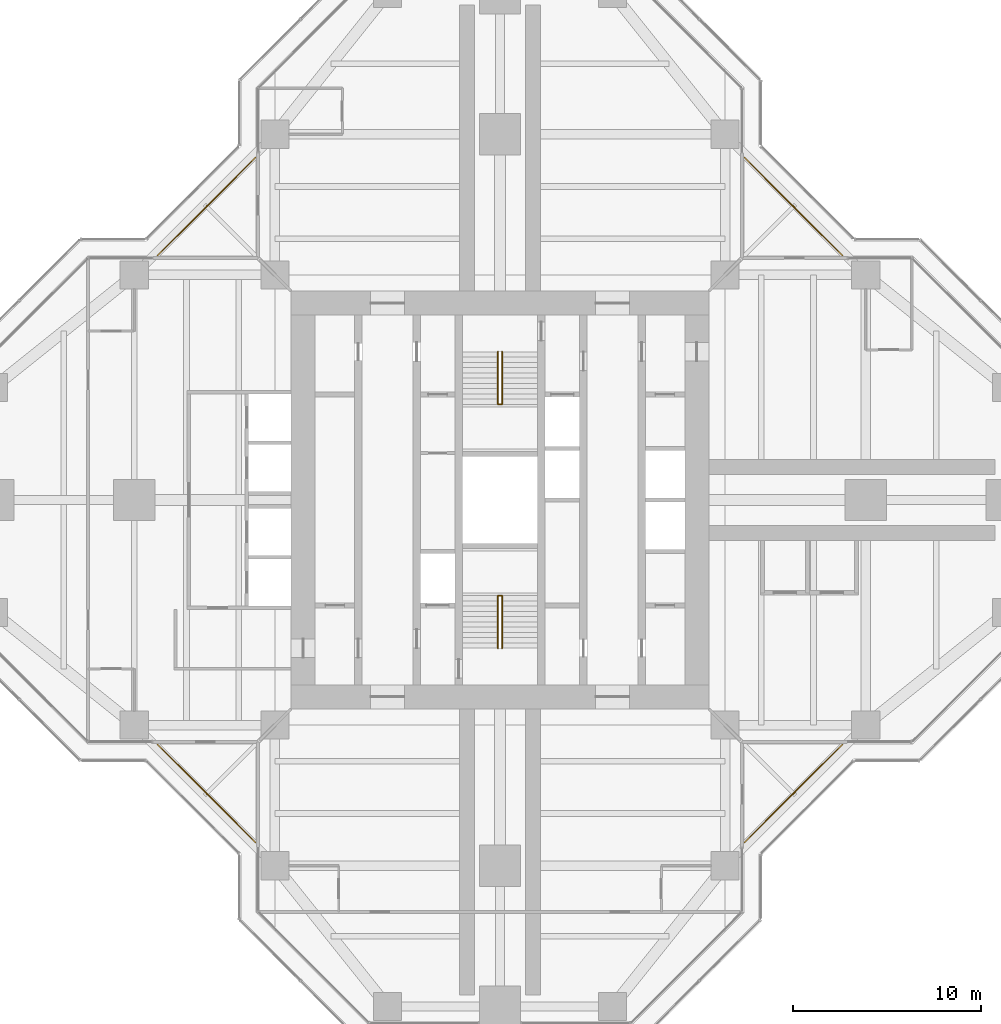
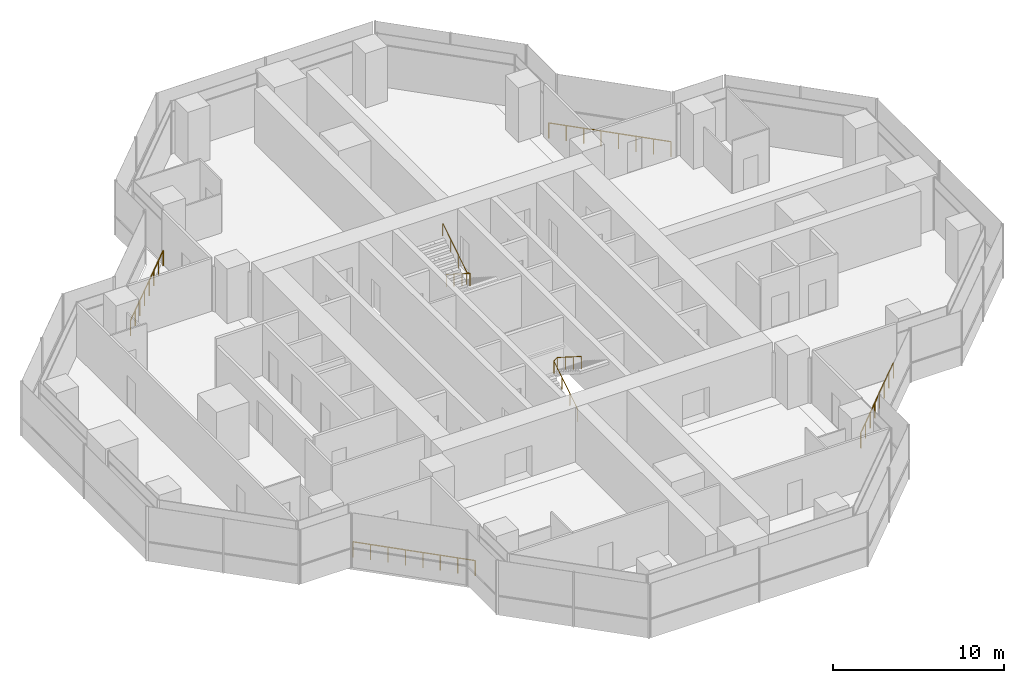
# One storey, part 17 of 17: 6 railings.
"""IFC4 building model written with IfcOpenShell, lengths in metres."""

from ifc_helpers import new_model, si_unit, direction, frame, origin, origin_2d, place, context, subcontext, project, spatial, circle, extrude, material, type_object, element, save


model = new_model("IFC4")

# Units and contexts
model_context = context("Model", 3, precision=1e-05, world=origin(), true_north=direction((0.0, 1.0)))
body_context = subcontext(model_context, "Body", "Model", "MODEL_VIEW")
ifc_project = project(units=[si_unit("LENGTHUNIT", "METRE"), si_unit("AREAUNIT", "SQUARE_METRE"), si_unit("VOLUMEUNIT", "CUBIC_METRE"), si_unit("PLANEANGLEUNIT", "RADIAN"), si_unit("MASSUNIT", "GRAM", prefix="KILO")], contexts=[model_context])

# Site, building, storey
site_placement = place(None, origin())
site = spatial("IfcSite", under=ifc_project, at=site_placement, CompositionType="ELEMENT")
building_placement = place(site_placement, origin())
building = spatial("IfcBuilding", under=site, at=building_placement, Name="Mizan Broadcast Tower", CompositionType="ELEMENT")
storey_placement = place(building_placement, frame((0.0, 0.0, 240.0)))
storey = spatial("IfcBuildingStorey", under=building, at=storey_placement, Name="L56", CompositionType="ELEMENT", Elevation=240.0)

# Railings
ifc_material_1 = material(Name="Stainless steel and glass guard", Category="steel")
railing_type_1 = type_object("IfcRailingType", Name="GUARD 1100", PredefinedType="GUARDRAIL", material=ifc_material_1)
railing_1_placement = place(storey_placement, frame((18.2578125, 13.030029296875, 0.0)))
element("IfcRailing", 1, at=railing_1_placement, inside=storey, type_object=railing_type_1, Name="Winter garden guard L56 E", PredefinedType="GUARDRAIL", context=body_context, shape_type="SweptSolid", body=[
    extrude(circle(Radius=0.02392578125, at=origin_2d()), frame((0.0, 0.0, 1.076171875), z_axis=(-0.707106781187, 0.707106781187, 0.0), x_axis=(-0.707106781187, -0.707106781187, 0.0)), (0.0, 0.0, 1.0), 7.393310546875),
    extrude(circle(Radius=0.02099609375, at=origin_2d()), origin(), (0.0, 0.0, 1.0), 1.052001953125),
    extrude(circle(Radius=0.02099609375, at=origin_2d()), frame((-0.746826171875, 0.746826171875, 0.0)), (0.0, 0.0, 1.0), 1.052001953125),
    extrude(circle(Radius=0.02099609375, at=origin_2d()), frame((-1.49365234375, 1.49365234375, 0.0)), (0.0, 0.0, 1.0), 1.052001953125),
    extrude(circle(Radius=0.02099609375, at=origin_2d()), frame((-2.240478515625, 2.240478515625, 0.0)), (0.0, 0.0, 1.0), 1.052001953125),
    extrude(circle(Radius=0.02099609375, at=origin_2d()), frame((-2.9873046875, 2.9873046875, 0.0)), (0.0, 0.0, 1.0), 1.052001953125),
    extrude(circle(Radius=0.02099609375, at=origin_2d()), frame((-3.734130859375, 3.734130859375, 0.0)), (0.0, 0.0, 1.0), 1.052001953125),
    extrude(circle(Radius=0.02099609375, at=origin_2d()), frame((-4.48095703125, 4.48095703125, 0.0)), (0.0, 0.0, 1.0), 1.052001953125),
    extrude(circle(Radius=0.02099609375, at=origin_2d()), frame((-5.227783203125, 5.227783203125, 0.0)), (0.0, 0.0, 1.0), 1.052001953125),
])
railing_2_placement = place(storey_placement, frame((-13.030029296875, 18.2578125, 0.0)))
element("IfcRailing", 2, at=railing_2_placement, inside=storey, type_object=railing_type_1, Name="Winter garden guard L56 N", PredefinedType="GUARDRAIL", context=body_context, shape_type="SweptSolid", body=[
    extrude(circle(Radius=0.02392578125, at=origin_2d()), frame((0.0, 0.0, 1.076171875), z_axis=(-0.707106781187, -0.707106781187, 0.0), x_axis=(0.707106781187, -0.707106781187, 0.0)), (0.0, 0.0, 1.0), 7.393310546875),
    extrude(circle(Radius=0.02099609375, at=origin_2d()), origin(), (0.0, 0.0, 1.0), 1.052001953125),
    extrude(circle(Radius=0.02099609375, at=origin_2d()), frame((-0.746826171875, -0.746826171875, 0.0)), (0.0, 0.0, 1.0), 1.052001953125),
    extrude(circle(Radius=0.02099609375, at=origin_2d()), frame((-1.49365234375, -1.49365234375, 0.0)), (0.0, 0.0, 1.0), 1.052001953125),
    extrude(circle(Radius=0.02099609375, at=origin_2d()), frame((-2.240478515625, -2.240478515625, 0.0)), (0.0, 0.0, 1.0), 1.052001953125),
    extrude(circle(Radius=0.02099609375, at=origin_2d()), frame((-2.9873046875, -2.9873046875, 0.0)), (0.0, 0.0, 1.0), 1.052001953125),
    extrude(circle(Radius=0.02099609375, at=origin_2d()), frame((-3.734130859375, -3.734130859375, 0.0)), (0.0, 0.0, 1.0), 1.052001953125),
    extrude(circle(Radius=0.02099609375, at=origin_2d()), frame((-4.48095703125, -4.48095703125, 0.0)), (0.0, 0.0, 1.0), 1.052001953125),
    extrude(circle(Radius=0.02099609375, at=origin_2d()), frame((-5.227783203125, -5.227783203125, 0.0)), (0.0, 0.0, 1.0), 1.052001953125),
])
railing_3_placement = place(storey_placement, frame((-18.2578125, -13.030029296875, 0.0)))
element("IfcRailing", 3, at=railing_3_placement, inside=storey, type_object=railing_type_1, Name="Winter garden guard L56 W", PredefinedType="GUARDRAIL", context=body_context, shape_type="SweptSolid", body=[
    extrude(circle(Radius=0.02392578125, at=origin_2d()), frame((0.0, 0.0, 1.076171875), z_axis=(0.707106781187, -0.707106781187, 0.0), x_axis=(0.707106781187, 0.707106781187, 0.0)), (0.0, 0.0, 1.0), 7.393310546875),
    extrude(circle(Radius=0.02099609375, at=origin_2d()), origin(), (0.0, 0.0, 1.0), 1.052001953125),
    extrude(circle(Radius=0.02099609375, at=origin_2d()), frame((0.746826171875, -0.746826171875, 0.0)), (0.0, 0.0, 1.0), 1.052001953125),
    extrude(circle(Radius=0.02099609375, at=origin_2d()), frame((1.49365234375, -1.49365234375, 0.0)), (0.0, 0.0, 1.0), 1.052001953125),
    extrude(circle(Radius=0.02099609375, at=origin_2d()), frame((2.240478515625, -2.240478515625, 0.0)), (0.0, 0.0, 1.0), 1.052001953125),
    extrude(circle(Radius=0.02099609375, at=origin_2d()), frame((2.9873046875, -2.9873046875, 0.0)), (0.0, 0.0, 1.0), 1.052001953125),
    extrude(circle(Radius=0.02099609375, at=origin_2d()), frame((3.734130859375, -3.734130859375, 0.0)), (0.0, 0.0, 1.0), 1.052001953125),
    extrude(circle(Radius=0.02099609375, at=origin_2d()), frame((4.48095703125, -4.48095703125, 0.0)), (0.0, 0.0, 1.0), 1.052001953125),
    extrude(circle(Radius=0.02099609375, at=origin_2d()), frame((5.227783203125, -5.227783203125, 0.0)), (0.0, 0.0, 1.0), 1.052001953125),
])
railing_4_placement = place(storey_placement, frame((13.030029296875, -18.2578125, 0.0)))
element("IfcRailing", 4, at=railing_4_placement, inside=storey, type_object=railing_type_1, Name="Winter garden guard L56 S", PredefinedType="GUARDRAIL", context=body_context, shape_type="SweptSolid", body=[
    extrude(circle(Radius=0.02392578125, at=origin_2d()), frame((0.0, 0.0, 1.076171875), z_axis=(0.707106781187, 0.707106781187, 0.0), x_axis=(-0.707106781187, 0.707106781187, 0.0)), (0.0, 0.0, 1.0), 7.393310546875),
    extrude(circle(Radius=0.02099609375, at=origin_2d()), origin(), (0.0, 0.0, 1.0), 1.052001953125),
    extrude(circle(Radius=0.02099609375, at=origin_2d()), frame((0.746826171875, 0.746826171875, 0.0)), (0.0, 0.0, 1.0), 1.052001953125),
    extrude(circle(Radius=0.02099609375, at=origin_2d()), frame((1.49365234375, 1.49365234375, 0.0)), (0.0, 0.0, 1.0), 1.052001953125),
    extrude(circle(Radius=0.02099609375, at=origin_2d()), frame((2.240478515625, 2.240478515625, 0.0)), (0.0, 0.0, 1.0), 1.052001953125),
    extrude(circle(Radius=0.02099609375, at=origin_2d()), frame((2.9873046875, 2.9873046875, 0.0)), (0.0, 0.0, 1.0), 1.052001953125),
    extrude(circle(Radius=0.02099609375, at=origin_2d()), frame((3.734130859375, 3.734130859375, 0.0)), (0.0, 0.0, 1.0), 1.052001953125),
    extrude(circle(Radius=0.02099609375, at=origin_2d()), frame((4.48095703125, 4.48095703125, 0.0)), (0.0, 0.0, 1.0), 1.052001953125),
    extrude(circle(Radius=0.02099609375, at=origin_2d()), frame((5.227783203125, 5.227783203125, 0.0)), (0.0, 0.0, 1.0), 1.052001953125),
])
ifc_material_2 = material(Name="Stainless steel", Category="steel")
railing_type_2 = type_object("IfcRailingType", Name="HANDRAIL 50", PredefinedType="HANDRAIL", material=ifc_material_2)
railing_5_placement = place(storey_placement, frame((-0.110107421875, -7.89990234375, 0.17724609375)))
element("IfcRailing", 5, at=railing_5_placement, inside=storey, type_object=railing_type_2, Name="Stair A handrail", PredefinedType="HANDRAIL", context=body_context, shape_type="SweptSolid", body=[
    extrude(circle(Radius=0.02392578125, at=origin_2d()), frame((0.0, 0.0, 0.8759765625), z_axis=(0.0, 0.844887892834, 0.53494340686), x_axis=(-1.0, 0.0, 0.0)), (0.0, 0.0, 1.0), 3.313720703125),
    extrude(circle(Radius=0.02392578125, at=origin_2d()), frame((0.0, 2.7998046875, 2.6484375), z_axis=(0.779011685263, 0.0, 0.627009405212), x_axis=(0.0, 1.0, 0.0)), (0.0, 0.0, 1.0), 0.28271484375),
    extrude(circle(Radius=0.02392578125, at=origin_2d()), frame((0.22021484375, 2.7998046875, 2.82568359375), z_axis=(0.0, -0.844887892834, 0.53494340686), x_axis=(1.0, 0.0, 0.0)), (0.0, 0.0, 1.0), 3.313720703125),
    extrude(circle(Radius=0.02099609375, at=origin_2d()), origin(), (0.0, 0.0, 1.0), 0.851806640625),
    extrude(circle(Radius=0.02099609375, at=origin_2d()), frame((0.0, 0.933349609375, 0.5908203125)), (0.0, 0.0, 1.0), 0.851806640625),
    extrude(circle(Radius=0.02099609375, at=origin_2d()), frame((0.0, 1.866455078125, 1.181884765625)), (0.0, 0.0, 1.0), 0.851806640625),
    extrude(circle(Radius=0.02099609375, at=origin_2d()), frame((0.0, 2.7998046875, 1.772705078125)), (0.0, 0.0, 1.0), 0.851806640625),
    extrude(circle(Radius=0.02099609375, at=origin_2d()), frame((0.22021484375, 2.7998046875, 1.949951171875)), (0.0, 0.0, 1.0), 0.851806640625),
    extrude(circle(Radius=0.02099609375, at=origin_2d()), frame((0.22021484375, 1.866455078125, 2.540771484375)), (0.0, 0.0, 1.0), 0.851806640625),
    extrude(circle(Radius=0.02099609375, at=origin_2d()), frame((0.22021484375, 0.933349609375, 3.1318359375)), (0.0, 0.0, 1.0), 0.851806640625),
    extrude(circle(Radius=0.02099609375, at=origin_2d()), frame((0.22021484375, 0.0, 3.72265625)), (0.0, 0.0, 1.0), 0.851806640625),
])
railing_6_placement = place(storey_placement, frame((0.110107421875, 7.89990234375, 0.17724609375)))
element("IfcRailing", 6, at=railing_6_placement, inside=storey, type_object=railing_type_2, Name="Stair B handrail", PredefinedType="HANDRAIL", context=body_context, shape_type="SweptSolid", body=[
    extrude(circle(Radius=0.02392578125, at=origin_2d()), frame((0.0, 0.0, 0.8759765625), z_axis=(0.0, -0.844887892834, 0.53494340686), x_axis=(1.0, 0.0, 0.0)), (0.0, 0.0, 1.0), 3.313720703125),
    extrude(circle(Radius=0.02392578125, at=origin_2d()), frame((0.0, -2.7998046875, 2.6484375), z_axis=(-0.779011685263, 0.0, 0.627009405212), x_axis=(0.0, -1.0, 0.0)), (0.0, 0.0, 1.0), 0.28271484375),
    extrude(circle(Radius=0.02392578125, at=origin_2d()), frame((-0.22021484375, -2.7998046875, 2.82568359375), z_axis=(0.0, 0.844887892834, 0.53494340686), x_axis=(-1.0, 0.0, 0.0)), (0.0, 0.0, 1.0), 3.313720703125),
    extrude(circle(Radius=0.02099609375, at=origin_2d()), origin(), (0.0, 0.0, 1.0), 0.851806640625),
    extrude(circle(Radius=0.02099609375, at=origin_2d()), frame((0.0, -0.933349609375, 0.5908203125)), (0.0, 0.0, 1.0), 0.851806640625),
    extrude(circle(Radius=0.02099609375, at=origin_2d()), frame((0.0, -1.866455078125, 1.181884765625)), (0.0, 0.0, 1.0), 0.851806640625),
    extrude(circle(Radius=0.02099609375, at=origin_2d()), frame((0.0, -2.7998046875, 1.772705078125)), (0.0, 0.0, 1.0), 0.851806640625),
    extrude(circle(Radius=0.02099609375, at=origin_2d()), frame((-0.22021484375, -2.7998046875, 1.949951171875)), (0.0, 0.0, 1.0), 0.851806640625),
    extrude(circle(Radius=0.02099609375, at=origin_2d()), frame((-0.22021484375, -1.866455078125, 2.540771484375)), (0.0, 0.0, 1.0), 0.851806640625),
    extrude(circle(Radius=0.02099609375, at=origin_2d()), frame((-0.22021484375, -0.933349609375, 3.1318359375)), (0.0, 0.0, 1.0), 0.851806640625),
    extrude(circle(Radius=0.02099609375, at=origin_2d()), frame((-0.22021484375, 0.0, 3.72265625)), (0.0, 0.0, 1.0), 0.851806640625),
])

save(model, "model.ifc")
